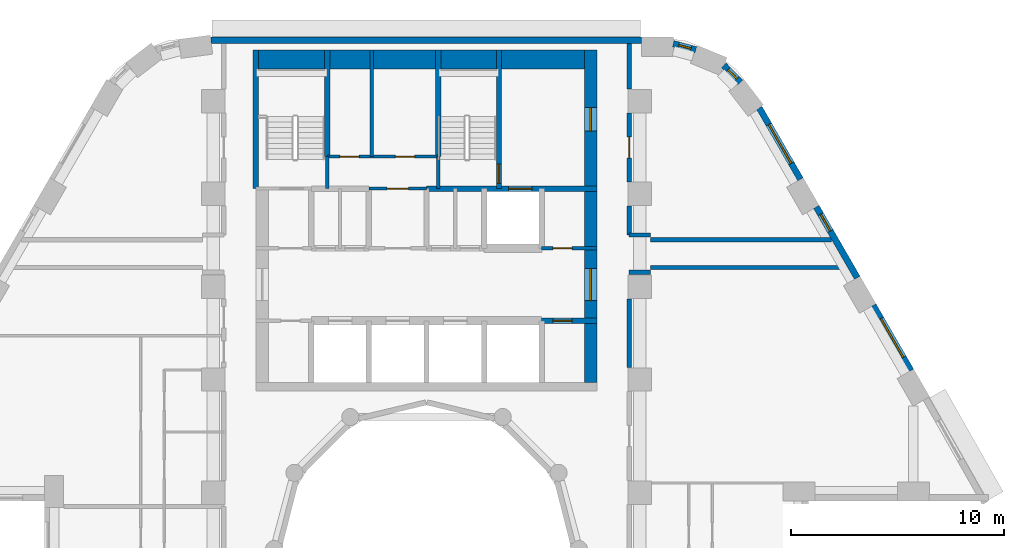
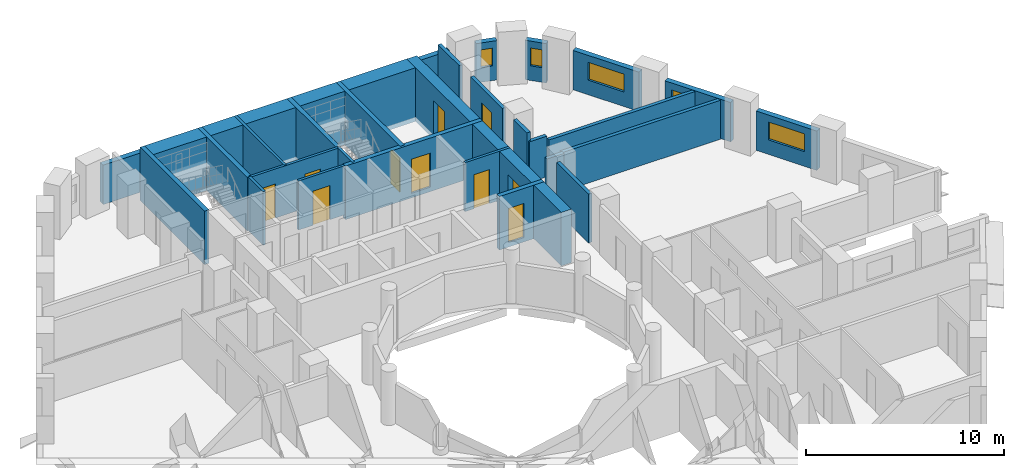
# One storey, part 8 of 12: 28 walls, 10 doors, 5 windows, 15 openings.
"""IFC4 building model written with IfcOpenShell, lengths in metres."""

from ifc_helpers import new_model, si_unit, direction, frame, frame_2d, origin, place, context, subcontext, project, spatial, rectangle, extrude, material, layer, layer_set, type_object, element, fill, save


model = new_model("IFC4")

# Units and contexts
model_context = context("Model", 3, precision=1e-05, world=origin(), true_north=direction((0.0, 1.0)))
body_context = subcontext(model_context, "Body", "Model", "MODEL_VIEW")
ifc_project = project(units=[si_unit("LENGTHUNIT", "METRE"), si_unit("AREAUNIT", "SQUARE_METRE"), si_unit("VOLUMEUNIT", "CUBIC_METRE"), si_unit("PLANEANGLEUNIT", "RADIAN"), si_unit("MASSUNIT", "GRAM", prefix="KILO")], contexts=[model_context])

# Site, building, storey
site_placement = place(None, origin())
site = spatial("IfcSite", under=ifc_project, at=site_placement, CompositionType="ELEMENT")
building_placement = place(site_placement, origin())
building = spatial("IfcBuilding", under=site, at=building_placement, Name="Nakaniwa Court", CompositionType="ELEMENT")
storey_placement = place(building_placement, frame((0.0, 0.0, 54.60009765625)))
storey = spatial("IfcBuildingStorey", under=building, at=storey_placement, Name="L14", CompositionType="ELEMENT", Elevation=54.60009765625)

# Walls
ifc_material_1 = material(Name="Acoustic double stud partition")
ifc_layer_1 = layer(ifc_material_1, 0.199951171875)
ifc_layer_set_1 = layer_set([ifc_layer_1], Name="Acoustic double stud partition")
wall_type_1 = type_object("IfcWallType", Name="Acoustic double stud partition 200", PredefinedType="PARTITIONING", material=ifc_layer_set_1)
wall_1_placement = place(storey_placement, frame((89.5, 88.51708984375, 0.0), z_axis=(0.0, 0.0, 1.0), x_axis=(0.0, 1.0, 0.0)))
element("IfcWall", 1, at=wall_1_placement, inside=storey, type_object=wall_type_1, Name="Partition PW-079", PredefinedType="PARTITIONING", context=body_context, shape_type="SweptSolid", body=[
    extrude(rectangle(XDim=3.2158203125, YDim=0.199951171875, at=frame_2d((1.60791015625, 0.0))), origin(), (0.0, 0.0, 1.0), 3.02490234375),
])
wall_2_placement = place(storey_placement, frame((89.5, 94.721923828125, 0.0), z_axis=(0.0, 0.0, 1.0), x_axis=(0.0, 1.0, 0.0)))
element("IfcWall", 2, at=wall_2_placement, inside=storey, type_object=wall_type_1, Name="Partition PW-080", PredefinedType="PARTITIONING", context=body_context, shape_type="SweptSolid", body=[
    extrude(rectangle(XDim=1.361083984375, YDim=0.199951171875, at=frame_2d((0.6806640625, 0.0))), origin(), (0.0, 0.0, 1.0), 3.02490234375),
])

# Wall, opening, door
wall_3_placement = place(storey_placement, frame((89.5, 100.43310546875, 0.0), z_axis=(0.0, 0.0, 1.0), x_axis=(0.0, -1.0, 0.0)))
wall_3 = element("IfcWall", 3, at=wall_3_placement, inside=storey, type_object=wall_type_1, Name="Partition PW-081", PredefinedType="PARTITIONING", context=body_context, shape_type="SweptSolid", body=[
    extrude(rectangle(XDim=3.216064453125, YDim=0.199951171875, at=frame_2d((1.60791015625, 0.0))), origin(), (0.0, 0.0, 1.0), 3.02490234375),
])
opening_1_placement = place(wall_3_placement, frame((1.10791015625, 0.0, 0.0)))
opening_1 = element("IfcOpeningElement", 4, at=opening_1_placement, cuts=wall_3, Name="Opening D-02-02", PredefinedType="OPENING", context=body_context, shape_type="SweptSolid", body=[
    extrude(rectangle(XDim=1.0, YDim=2.10009765625, at=frame_2d((0.5, 1.050048828125))), frame((0.0, 0.10986328125, 0.0), z_axis=(0.0, -1.0, 0.0), x_axis=(1.0, 0.0, 0.0)), (0.0, 0.0, 1.0), 0.219970703125),
])
ifc_material_2 = material(Name="Solid core timber door set, black veneer", Category="wood")
door_type_1 = type_object("IfcDoorType", Name="Internal door 1000", OperationType="NOTDEFINED", PredefinedType="DOOR", material=ifc_material_2)
door_1_placement = place(opening_1_placement, origin())
door_1 = element("IfcDoor", 5, at=door_1_placement, inside=storey, type_object=door_type_1, Name="Door D-02-02 L14-040", OperationType="SINGLE_SWING_LEFT", OverallHeight=2.10009765625, OverallWidth=1.0, PredefinedType="DOOR", context=body_context, shape_type="SweptSolid", body=[
    extrude(rectangle(XDim=1.0, YDim=2.10009765625, at=frame_2d((0.5, 1.050048828125))), frame((0.0, 0.02490234375, 0.0), z_axis=(0.0, -1.0, 0.0), x_axis=(1.0, 0.0, 0.0)), (0.0, 0.0, 1.0), 0.050048828125),
])
fill(opening_1, door_1)

# Walls
wall_4_placement = place(storey_placement, frame((89.5, 101.56689453125, 0.0), z_axis=(0.0, 0.0, 1.0), x_axis=(0.0, 1.0, 0.0)))
element("IfcWall", 6, at=wall_4_placement, inside=storey, type_object=wall_type_1, Name="Partition PW-082", PredefinedType="PARTITIONING", context=body_context, shape_type="SweptSolid", body=[
    extrude(rectangle(XDim=2.133056640625, YDim=0.199951171875, at=frame_2d((1.06640625, 0.0))), origin(), (0.0, 0.0, 1.0), 3.02490234375),
])
wall_5_placement = place(storey_placement, frame((90.5, 93.199951171875, 0.0), z_axis=(0.0, 0.0, 1.0), x_axis=(1.0, 0.0, 0.0)))
element("IfcWall", 7, at=wall_5_placement, inside=storey, type_object=wall_type_1, Name="Partition PW-084", PredefinedType="PARTITIONING", context=body_context, shape_type="SweptSolid", body=[
    extrude(rectangle(XDim=9.245361328125, YDim=0.199951171875, at=frame_2d((4.62255859375, 0.0))), origin(), (0.0, 0.0, 1.0), 2.40478515625),
])
for number, where, z_axis, x_axis, name in (
    (8, (89.5, 92.97509765625, 0.0), (0.0, 0.0, 1.0), (1.0, 0.0, 0.0), "Partition PW-086"),
    (9, (89.5, 94.72509765625, 0.0), (0.0, 0.0, 1.0), (1.0, 0.0, 0.0), "Partition PW-088"),
):
    element("IfcWall", number, at=place(storey_placement, frame(where, z_axis=z_axis, x_axis=x_axis)), inside=storey, type_object=wall_type_1, Name=name, PredefinedType="PARTITIONING", context=body_context, shape_type="SweptSolid", body=[
        extrude(rectangle(XDim=1.0, YDim=0.199951171875, at=frame_2d((0.5, 0.0))), origin(), (0.0, 0.0, 1.0), 2.5048828125),
    ])
wall_6_placement = place(storey_placement, frame((90.5, 94.5, 0.0), z_axis=(0.0, 0.0, 1.0), x_axis=(1.0, 0.0, 0.0)))
element("IfcWall", 10, at=wall_6_placement, inside=storey, type_object=wall_type_1, Name="Partition PW-090", PredefinedType="PARTITIONING", context=body_context, shape_type="SweptSolid", body=[
    extrude(rectangle(XDim=8.494873046875, YDim=0.199951171875, at=frame_2d((4.24755859375, 0.0))), origin(), (0.0, 0.0, 1.0), 2.40478515625),
])

# Wall, opening, window
ifc_material_3 = material(Name="Charcoal ceramic cladding")
ifc_layer_2 = layer(ifc_material_3, 0.02, Name="Ceramic cladding")
ifc_material_4 = material(Name="Ventilated air cavity")
ifc_layer_3 = layer(ifc_material_4, 0.04, ventilated=True, Name="Ventilated cavity")
ifc_material_5 = material(Name="Mineral wool insulation")
ifc_layer_4 = layer(ifc_material_5, 0.1, Name="Insulation")
ifc_material_6 = material(Name="Cement bonded sheathing board")
ifc_layer_5 = layer(ifc_material_6, 0.012, Name="Sheathing")
ifc_material_7 = material(Name="Cold-formed galvanised stud frame with mineral wool infill")
ifc_layer_6 = layer(ifc_material_7, 0.1, Name="Stud frame")
ifc_material_8 = material(Name="Fire-rated gypsum plasterboard lining")
ifc_layer_7 = layer(ifc_material_8, 0.028, Name="Lining")
ifc_layer_set_2 = layer_set([ifc_layer_2, ifc_layer_3, ifc_layer_4, ifc_layer_5, ifc_layer_6, ifc_layer_7], Name="Charcoal ceramic faced external wall system")
wall_type_2 = type_object("IfcWallType", Name="Black ceramic faced external wall 300", PredefinedType="SOLIDWALL", material=ifc_layer_set_2)
wall_7_placement = place(storey_placement, frame((102.709716796875, 88.36572265625, 0.0), z_axis=(0.0, 0.0, 1.0), x_axis=(-0.499977402622, 0.866038449993, 0.0)))
wall_7 = element("IfcWall", 11, at=wall_7_placement, inside=storey, type_object=wall_type_2, Name="L14 external wall 03", PredefinedType="SOLIDWALL", context=body_context, shape_type="SweptSolid", body=[
    extrude(rectangle(XDim=3.536865234375, YDim=0.300048828125, at=frame_2d((1.7685546875, 0.0))), origin(), (0.0, 0.0, 1.0), 2.4248046875),
])
opening_2_placement = place(wall_7_placement, frame((0.718505859375, 0.0, 0.89990234375)))
opening_2 = element("IfcOpeningElement", 12, at=opening_2_placement, cuts=wall_7, Name="Opening W7.02", PredefinedType="OPENING", context=body_context, shape_type="SweptSolid", body=[
    extrude(rectangle(XDim=2.10009765625, YDim=1.10009765625, at=frame_2d((1.050048828125, 0.550048828125))), frame((0.0, 0.159912109375, 0.0), z_axis=(0.0, -1.0, 0.0), x_axis=(1.0, 0.0, 0.0)), (0.0, 0.0, 1.0), 0.320068359375),
])
ifc_material_9 = material(Name="Black anodised aluminium frame with dark low-E laminated double glazing", Category="aluminium")
window_type_1 = type_object("IfcWindowType", Name="Dark glass window 2100x1100 sill 900", PartitioningType="SINGLE_PANEL", PredefinedType="WINDOW", material=ifc_material_9)
window_1_placement = place(opening_2_placement, origin())
window_1 = element("IfcWindow", 13, at=window_1_placement, inside=storey, type_object=window_type_1, Name="L14 habitable room window 03-0", OverallHeight=1.10009765625, OverallWidth=2.10009765625, PartitioningType="SINGLE_PANEL", PredefinedType="WINDOW", context=body_context, shape_type="SweptSolid", body=[
    extrude(rectangle(XDim=2.10009765625, YDim=1.10009765625, at=frame_2d((1.050048828125, 0.550048828125))), frame((0.0, 0.030029296875, 0.0), z_axis=(0.0, -1.0, 0.0), x_axis=(1.0, 0.0, 0.0)), (0.0, 0.0, 1.0), 0.06005859375),
])
fill(opening_2, window_1)

wall_8_placement = place(storey_placement, frame((100.1953125, 92.720703125, 0.0), z_axis=(0.0, 0.0, 1.0), x_axis=(-0.500001735503, 0.866024401789, 0.0)))
wall_8 = element("IfcWall", 14, at=wall_8_placement, inside=storey, type_object=wall_type_2, Name="L14 external wall 04", PredefinedType="SOLIDWALL", context=body_context, shape_type="SweptSolid", body=[
    extrude(rectangle(XDim=3.833984375, YDim=0.300048828125, at=frame_2d((1.9169921875, 0.0))), origin(), (0.0, 0.0, 1.0), 2.4248046875),
])
opening_3_placement = place(wall_8_placement, frame((2.53125, 0.0, 0.89990234375)))
opening_3 = element("IfcOpeningElement", 15, at=opening_3_placement, cuts=wall_8, Name="Opening W9.03", PredefinedType="OPENING", context=body_context, shape_type="SweptSolid", body=[
    extrude(rectangle(XDim=0.89990234375, YDim=1.10009765625, at=frame_2d((0.449951171875, 0.550048828125))), frame((0.0, 0.159912109375, 0.0), z_axis=(0.0, -1.0, 0.0), x_axis=(1.0, 0.0, 0.0)), (0.0, 0.0, 1.0), 0.320068359375),
])
window_type_2 = type_object("IfcWindowType", Name="Dark glass window 900x1100 sill 900", PartitioningType="SINGLE_PANEL", PredefinedType="WINDOW", material=ifc_material_9)
window_2_placement = place(opening_3_placement, origin())
window_2 = element("IfcWindow", 16, at=window_2_placement, inside=storey, type_object=window_type_2, Name="L14 habitable room window 04-2", OverallHeight=1.10009765625, OverallWidth=0.89990234375, PartitioningType="SINGLE_PANEL", PredefinedType="WINDOW", context=body_context, shape_type="SweptSolid", body=[
    extrude(rectangle(XDim=0.89990234375, YDim=1.10009765625, at=frame_2d((0.449951171875, 0.550048828125))), frame((0.0, 0.030029296875, 0.0), z_axis=(0.0, -1.0, 0.0), x_axis=(1.0, 0.0, 0.0)), (0.0, 0.0, 1.0), 0.06005859375),
])
fill(opening_3, window_2)

wall_9_placement = place(storey_placement, frame((97.5322265625, 97.3330078125, 0.0), z_axis=(0.0, 0.0, 1.0), x_axis=(-0.499948341072, 0.866055227026, 0.0)))
wall_9 = element("IfcWall", 17, at=wall_9_placement, inside=storey, type_object=wall_type_2, Name="L14 external wall 05", PredefinedType="SOLIDWALL", context=body_context, shape_type="SweptSolid", body=[
    extrude(rectangle(XDim=3.8671875, YDim=0.300048828125, at=frame_2d((1.93359375, 0.0))), origin(), (0.0, 0.0, 1.0), 2.4248046875),
])
opening_4_placement = place(wall_9_placement, frame((0.872314453125, 0.0, 0.89990234375)))
opening_4 = element("IfcOpeningElement", 18, at=opening_4_placement, cuts=wall_9, Name="Opening W7.04", PredefinedType="OPENING", context=body_context, shape_type="SweptSolid", body=[
    extrude(rectangle(XDim=2.10009765625, YDim=1.10009765625, at=frame_2d((1.050048828125, 0.550048828125))), frame((0.0, 0.159912109375, 0.0), z_axis=(0.0, -1.0, 0.0), x_axis=(1.0, 0.0, 0.0)), (0.0, 0.0, 1.0), 0.320068359375),
])
window_3_placement = place(opening_4_placement, origin())
window_3 = element("IfcWindow", 19, at=window_3_placement, inside=storey, type_object=window_type_1, Name="L14 habitable room window 05-0", OverallHeight=1.10009765625, OverallWidth=2.10009765625, PartitioningType="SINGLE_PANEL", PredefinedType="WINDOW", context=body_context, shape_type="SweptSolid", body=[
    extrude(rectangle(XDim=2.10009765625, YDim=1.10009765625, at=frame_2d((1.050048828125, 0.550048828125))), frame((0.0, 0.030029296875, 0.0), z_axis=(0.0, -1.0, 0.0), x_axis=(1.0, 0.0, 0.0)), (0.0, 0.0, 1.0), 0.06005859375),
])
fill(opening_4, window_3)

wall_10_placement = place(storey_placement, frame((94.712646484375, 101.8828125, 0.0), z_axis=(0.0, 0.0, 1.0), x_axis=(-0.696138968055, 0.717907053285, 0.0)))
wall_10 = element("IfcWall", 20, at=wall_10_placement, inside=storey, type_object=wall_type_2, Name="L14 external wall 06", PredefinedType="SOLIDWALL", context=body_context, shape_type="SweptSolid", body=[
    extrude(rectangle(XDim=1.1103515625, YDim=0.300048828125, at=frame_2d((0.55517578125, 0.0))), origin(), (0.0, 0.0, 1.0), 2.4248046875),
])
opening_5_placement = place(wall_10_placement, frame((0.230712890625, 0.0, 0.89990234375)))
opening_5 = element("IfcOpeningElement", 21, at=opening_5_placement, cuts=wall_10, Name="Opening W8.05", PredefinedType="OPENING", context=body_context, shape_type="SweptSolid", body=[
    extrude(rectangle(XDim=0.60009765625, YDim=1.10009765625, at=frame_2d((0.300048828125, 0.550048828125))), frame((0.0, 0.159912109375, 0.0), z_axis=(0.0, -1.0, 0.0), x_axis=(1.0, 0.0, 0.0)), (0.0, 0.0, 1.0), 0.320068359375),
])
window_type_3 = type_object("IfcWindowType", Name="Dark glass window 600x1100 sill 900", PartitioningType="SINGLE_PANEL", PredefinedType="WINDOW", material=ifc_material_9)
window_4_placement = place(opening_5_placement, origin())
window_4 = element("IfcWindow", 22, at=window_4_placement, inside=storey, type_object=window_type_3, Name="L14 habitable room window 06-0", OverallHeight=1.10009765625, OverallWidth=0.60009765625, PartitioningType="SINGLE_PANEL", PredefinedType="WINDOW", context=body_context, shape_type="SweptSolid", body=[
    extrude(rectangle(XDim=0.60009765625, YDim=1.10009765625, at=frame_2d((0.300048828125, 0.550048828125))), frame((0.0, 0.030029296875, 0.0), z_axis=(0.0, -1.0, 0.0), x_axis=(1.0, 0.0, 0.0)), (0.0, 0.0, 1.0), 0.06005859375),
])
fill(opening_5, window_4)

wall_11_placement = place(storey_placement, frame((92.62548828125, 103.406982421875, 0.0), z_axis=(0.0, 0.0, 1.0), x_axis=(-0.96522637192, 0.261415475728, 0.0)))
wall_11 = element("IfcWall", 23, at=wall_11_placement, inside=storey, type_object=wall_type_2, Name="L14 external wall 07", PredefinedType="SOLIDWALL", context=body_context, shape_type="SweptSolid", body=[
    extrude(rectangle(XDim=1.0927734375, YDim=0.300048828125, at=frame_2d((0.54638671875, 0.0))), origin(), (0.0, 0.0, 1.0), 2.4248046875),
])
opening_6_placement = place(wall_11_placement, frame((0.236083984375, 0.0, 0.89990234375)))
opening_6 = element("IfcOpeningElement", 24, at=opening_6_placement, cuts=wall_11, Name="Opening W8.06", PredefinedType="OPENING", context=body_context, shape_type="SweptSolid", body=[
    extrude(rectangle(XDim=0.60009765625, YDim=1.10009765625, at=frame_2d((0.300048828125, 0.550048828125))), frame((0.0, 0.159912109375, 0.0), z_axis=(0.0, -1.0, 0.0), x_axis=(1.0, 0.0, 0.0)), (0.0, 0.0, 1.0), 0.320068359375),
])
window_5_placement = place(opening_6_placement, origin())
window_5 = element("IfcWindow", 25, at=window_5_placement, inside=storey, type_object=window_type_3, Name="L14 habitable room window 07-0", OverallHeight=1.10009765625, OverallWidth=0.60009765625, PartitioningType="SINGLE_PANEL", PredefinedType="WINDOW", context=body_context, shape_type="SweptSolid", body=[
    extrude(rectangle(XDim=0.60009765625, YDim=1.10009765625, at=frame_2d((0.300048828125, 0.550048828125))), frame((0.0, 0.030029296875, 0.0), z_axis=(0.0, -1.0, 0.0), x_axis=(1.0, 0.0, 0.0)), (0.0, 0.0, 1.0), 0.06005859375),
])
fill(opening_6, window_5)

# Wall
wall_12_placement = place(storey_placement, frame((90.07861328125, 103.85009765625, 0.0), z_axis=(0.0, 0.0, 1.0), x_axis=(-1.0, 0.0, 0.0)))
element("IfcWall", 26, at=wall_12_placement, inside=storey, type_object=wall_type_2, Name="L14 external wall 08", PredefinedType="SOLIDWALL", context=body_context, shape_type="SweptSolid", body=[
    extrude(rectangle(XDim=20.1904296875, YDim=0.300048828125, at=frame_2d((10.09521484375, 0.0))), origin(), (0.0, 0.0, 1.0), 2.4248046875),
])

# Wall, opening, door
ifc_material_10 = material(Name="Blockwork partition", Category="masonry")
ifc_layer_8 = layer(ifc_material_10, 0.14990234375)
ifc_layer_set_3 = layer_set([ifc_layer_8], Name="Blockwork partition")
wall_type_3 = type_object("IfcWallType", Name="Blockwork partition 150", PredefinedType="PARTITIONING", material=ifc_layer_set_3)
wall_13_placement = place(storey_placement, frame((85.39697265625, 94.10009765625, 0.0), z_axis=(0.0, 0.0, 1.0), x_axis=(1.0, 0.0, 0.0)))
wall_13 = element("IfcWall", 27, at=wall_13_placement, inside=storey, type_object=wall_type_3, Name="Partition PW-018", PredefinedType="PARTITIONING", context=body_context, shape_type="SweptSolid", body=[
    extrude(rectangle(XDim=2.60302734375, YDim=0.14990234375, at=frame_2d((1.301513671875, 0.0))), origin(), (0.0, 0.0, 1.0), 3.02490234375),
])
opening_7_placement = place(wall_13_placement, frame((0.528076171875, 0.0, 0.0)))
opening_7 = element("IfcOpeningElement", 28, at=opening_7_placement, cuts=wall_13, Name="Opening D-05-07", PredefinedType="OPENING", context=body_context, shape_type="SweptSolid", body=[
    extrude(rectangle(XDim=0.89990234375, YDim=2.10009765625, at=frame_2d((0.449951171875, 1.050048828125))), frame((0.0, 0.0849609375, 0.0), z_axis=(0.0, -1.0, 0.0), x_axis=(1.0, 0.0, 0.0)), (0.0, 0.0, 1.0), 0.169921875),
])
ifc_material_11 = material(Name="Fire rated steel door set", Category="steel")
door_type_2 = type_object("IfcDoorType", Name="Service room door 900", OperationType="NOTDEFINED", PredefinedType="DOOR", material=ifc_material_11)
door_2_placement = place(opening_7_placement, origin())
door_2 = element("IfcDoor", 29, at=door_2_placement, inside=storey, type_object=door_type_2, Name="Door D-05-07 L14-009", OperationType="SINGLE_SWING_RIGHT", OverallHeight=2.10009765625, OverallWidth=0.89990234375, PredefinedType="DOOR", context=body_context, shape_type="SweptSolid", body=[
    extrude(rectangle(XDim=0.89990234375, YDim=2.10009765625, at=frame_2d((0.449951171875, 1.050048828125))), frame((0.0, 0.02490234375, 0.0), z_axis=(0.0, -1.0, 0.0), x_axis=(1.0, 0.0, 0.0)), (0.0, 0.0, 1.0), 0.050048828125),
])
fill(opening_7, door_2)

wall_14_placement = place(storey_placement, frame((77.300048828125, 96.89990234375, 0.0), z_axis=(0.0, 0.0, 1.0), x_axis=(1.0, 0.0, 0.0)))
wall_14 = element("IfcWall", 30, at=wall_14_placement, inside=storey, type_object=wall_type_3, Name="Partition PW-026", PredefinedType="PARTITIONING", context=body_context, shape_type="SweptSolid", body=[
    extrude(rectangle(XDim=2.699951171875, YDim=0.14990234375, at=frame_2d((1.35009765625, 0.0))), origin(), (0.0, 0.0, 1.0), 3.02490234375),
])
opening_8_placement = place(wall_14_placement, frame((0.85009765625, 0.0, 0.0)))
opening_8 = element("IfcOpeningElement", 31, at=opening_8_placement, cuts=wall_14, Name="Opening D-23-01", PredefinedType="OPENING", context=body_context, shape_type="SweptSolid", body=[
    extrude(rectangle(XDim=1.0, YDim=2.10009765625, at=frame_2d((0.5, 1.050048828125))), frame((0.0, 0.0849609375, 0.0), z_axis=(0.0, -1.0, 0.0), x_axis=(1.0, 0.0, 0.0)), (0.0, 0.0, 1.0), 0.169921875),
])
door_type_3 = type_object("IfcDoorType", Name="Service room door 1000", OperationType="NOTDEFINED", PredefinedType="DOOR", material=ifc_material_11)
door_3_placement = place(opening_8_placement, origin())
door_3 = element("IfcDoor", 32, at=door_3_placement, inside=storey, type_object=door_type_3, Name="Door D-23-01 L14-010", OperationType="SINGLE_SWING_LEFT", OverallHeight=2.10009765625, OverallWidth=1.0, PredefinedType="DOOR", context=body_context, shape_type="SweptSolid", body=[
    extrude(rectangle(XDim=1.0, YDim=2.10009765625, at=frame_2d((0.5, 1.050048828125))), frame((0.0, 0.02490234375, 0.0), z_axis=(0.0, -1.0, 0.0), x_axis=(1.0, 0.0, 0.0)), (0.0, 0.0, 1.0), 0.050048828125),
])
fill(opening_8, door_3)

# Wall, openings, doors
wall_15_placement = place(storey_placement, frame((75.35009765625, 98.39990234375, 0.0), z_axis=(0.0, 0.0, 1.0), x_axis=(1.0, 0.0, 0.0)))
wall_15 = element("IfcWall", 33, at=wall_15_placement, inside=storey, type_object=wall_type_3, Name="Partition PW-034", PredefinedType="PARTITIONING", context=body_context, shape_type="SweptSolid", body=[
    extrude(rectangle(XDim=5.199951171875, YDim=0.14990234375, at=frame_2d((2.60009765625, 0.0))), origin(), (0.0, 0.0, 1.0), 3.02490234375),
])
opening_9_placement = place(wall_15_placement, frame((0.590087890625, 0.0, 0.0)))
opening_9 = element("IfcOpeningElement", 34, at=opening_9_placement, cuts=wall_15, Name="Opening D-05-08", PredefinedType="OPENING", context=body_context, shape_type="SweptSolid", body=[
    extrude(rectangle(XDim=0.89990234375, YDim=2.10009765625, at=frame_2d((0.449951171875, 1.050048828125))), frame((0.0, 0.0849609375, 0.0), z_axis=(0.0, -1.0, 0.0), x_axis=(1.0, 0.0, 0.0)), (0.0, 0.0, 1.0), 0.169921875),
])
opening_10_placement = place(wall_15_placement, frame((3.18994140625, 0.0, 0.0)))
opening_10 = element("IfcOpeningElement", 35, at=opening_10_placement, cuts=wall_15, Name="Opening D-05-09", PredefinedType="OPENING", context=body_context, shape_type="SweptSolid", body=[
    extrude(rectangle(XDim=0.89990234375, YDim=2.10009765625, at=frame_2d((0.449951171875, 1.050048828125))), frame((0.0, 0.0849609375, 0.0), z_axis=(0.0, -1.0, 0.0), x_axis=(1.0, 0.0, 0.0)), (0.0, 0.0, 1.0), 0.169921875),
])
door_4_placement = place(opening_9_placement, origin())
door_4 = element("IfcDoor", 36, at=door_4_placement, inside=storey, type_object=door_type_2, Name="Door D-05-08 L14-011", OperationType="SINGLE_SWING_RIGHT", OverallHeight=2.10009765625, OverallWidth=0.89990234375, PredefinedType="DOOR", context=body_context, shape_type="SweptSolid", body=[
    extrude(rectangle(XDim=0.89990234375, YDim=2.10009765625, at=frame_2d((0.449951171875, 1.050048828125))), frame((0.0, 0.02490234375, 0.0), z_axis=(0.0, -1.0, 0.0), x_axis=(1.0, 0.0, 0.0)), (0.0, 0.0, 1.0), 0.050048828125),
])
fill(opening_9, door_4)
door_5_placement = place(opening_10_placement, origin())
door_5 = element("IfcDoor", 37, at=door_5_placement, inside=storey, type_object=door_type_2, Name="Door D-05-09 L14-012", OperationType="SINGLE_SWING_LEFT", OverallHeight=2.10009765625, OverallWidth=0.89990234375, PredefinedType="DOOR", context=body_context, shape_type="SweptSolid", body=[
    extrude(rectangle(XDim=0.89990234375, YDim=2.10009765625, at=frame_2d((0.449951171875, 1.050048828125))), frame((0.0, 0.02490234375, 0.0), z_axis=(0.0, -1.0, 0.0), x_axis=(1.0, 0.0, 0.0)), (0.0, 0.0, 1.0), 0.050048828125),
])
fill(opening_10, door_5)

# Wall
wall_16_placement = place(storey_placement, frame((77.429931640625, 98.39990234375, 0.0), z_axis=(0.0, 0.0, 1.0), x_axis=(0.0, 1.0, 0.0)))
element("IfcWall", 38, at=wall_16_placement, inside=storey, type_object=wall_type_3, Name="Partition PW-035", PredefinedType="PARTITIONING", context=body_context, shape_type="SweptSolid", body=[
    extrude(rectangle(XDim=5.0, YDim=0.14990234375, at=frame_2d((2.5, 0.0))), origin(), (0.0, 0.0, 1.0), 3.02490234375),
])

# Wall, openings, doors
ifc_material_12 = material(Name="Concrete C100/115", Category="concrete")
ifc_layer_9 = layer(ifc_material_12, 0.60009765625)
ifc_layer_set_4 = layer_set([ifc_layer_9], Name="Concrete C100/115")
wall_type_4 = type_object("IfcWallType", Name="Concrete core side wall 600 C100", PredefinedType="SHEAR", material=ifc_layer_set_4)
wall_17_placement = place(storey_placement, frame((87.699951171875, 103.39990234375, -0.275146484375), z_axis=(0.0, 0.0, 1.0), x_axis=(0.0, -1.0, 0.0)))
wall_17 = element("IfcWall", 39, at=wall_17_placement, inside=storey, type_object=wall_type_4, Name="Core wall SW-15", PredefinedType="SHEAR", context=body_context, shape_type="SweptSolid", body=[
    extrude(rectangle(XDim=15.599853515625, YDim=0.60009765625, at=frame_2d((7.7998046875, 0.0))), origin(), (0.0, 0.0, 1.0), 3.300048828125),
])
opening_11_placement = place(wall_17_placement, frame((10.25, 0.0, 0.27490234375)))
opening_11 = element("IfcOpeningElement", 40, at=opening_11_placement, cuts=wall_17, Name="Opening D-07-01", PredefinedType="OPENING", context=body_context, shape_type="SweptSolid", body=[
    extrude(rectangle(XDim=1.5, YDim=2.10009765625, at=frame_2d((0.75, 1.050048828125))), frame((0.0, 0.31005859375, 0.0), z_axis=(0.0, -1.0, 0.0), x_axis=(1.0, 0.0, 0.0)), (0.0, 0.0, 1.0), 0.6201171875),
])
opening_12_placement = place(wall_17_placement, frame((2.699951171875, 0.0, 0.27490234375)))
opening_12 = element("IfcOpeningElement", 41, at=opening_12_placement, cuts=wall_17, Name="Opening D-10-01", PredefinedType="OPENING", context=body_context, shape_type="SweptSolid", body=[
    extrude(rectangle(XDim=1.10009765625, YDim=2.10009765625, at=frame_2d((0.550048828125, 1.050048828125))), frame((0.0, 0.31005859375, 0.0), z_axis=(0.0, -1.0, 0.0), x_axis=(1.0, 0.0, 0.0)), (0.0, 0.0, 1.0), 0.6201171875),
])
door_type_4 = type_object("IfcDoorType", Name="Firefighting lobby door 1100", OperationType="NOTDEFINED", PredefinedType="DOOR", material=ifc_material_11)
door_6_placement = place(opening_12_placement, origin())
door_6 = element("IfcDoor", 42, at=door_6_placement, inside=storey, type_object=door_type_4, Name="Door D-10-01 L14-058", OperationType="SINGLE_SWING_LEFT", OverallHeight=2.10009765625, OverallWidth=1.10009765625, PredefinedType="DOOR", context=body_context, shape_type="SweptSolid", body=[
    extrude(rectangle(XDim=1.10009765625, YDim=2.10009765625, at=frame_2d((0.550048828125, 1.050048828125))), frame((0.0, 0.02490234375, 0.0), z_axis=(0.0, -1.0, 0.0), x_axis=(1.0, 0.0, 0.0)), (0.0, 0.0, 1.0), 0.050048828125),
])
fill(opening_12, door_6)
ifc_material_13 = material(Name="Glazed fire rated steel double door set", Category="steel")
door_type_5 = type_object("IfcDoorType", Name="Lobby double door 1500", OperationType="NOTDEFINED", PredefinedType="DOOR", material=ifc_material_13)
door_7_placement = place(opening_11_placement, origin())
door_7 = element("IfcDoor", 43, at=door_7_placement, inside=storey, type_object=door_type_5, Name="Door D-07-01 L14-056", OperationType="DOUBLE_DOOR_SINGLE_SWING", OverallHeight=2.10009765625, OverallWidth=1.5, PredefinedType="DOOR", context=body_context, shape_type="SweptSolid", body=[
    extrude(rectangle(XDim=1.5, YDim=2.10009765625, at=frame_2d((0.75, 1.050048828125))), frame((0.0, 0.02490234375, 0.0), z_axis=(0.0, -1.0, 0.0), x_axis=(1.0, 0.0, 0.0)), (0.0, 0.0, 1.0), 0.050048828125),
])
fill(opening_11, door_7)

# Walls
ifc_layer_10 = layer(ifc_material_12, 0.14990234375)
ifc_layer_set_5 = layer_set([ifc_layer_10], Name="Concrete C100/115")
wall_type_5 = type_object("IfcWallType", Name="Concrete core wall 150 C100", PredefinedType="SHEAR", material=ifc_layer_set_5)
for number, where, z_axis, x_axis, name in (
    (44, (75.35009765625, 96.89990234375, -0.275146484375), (0.0, 0.0, 1.0), (0.0, 1.0, 0.0), "Core wall SW-28"),
    (45, (80.550048828125, 96.89990234375, -0.275146484375), (0.0, 0.0, 1.0), (0.0, 1.0, 0.0), "Core wall SW-32"),
):
    element("IfcWall", number, at=place(storey_placement, frame(where, z_axis=z_axis, x_axis=x_axis)), inside=storey, type_object=wall_type_5, Name=name, PredefinedType="SHEAR", context=body_context, shape_type="SweptSolid", body=[
        extrude(rectangle(XDim=1.503173828125, YDim=0.14990234375, at=frame_2d((0.75146484375, 0.0))), origin(), (0.0, 0.0, 1.0), 3.300048828125),
    ])
ifc_layer_11 = layer(ifc_material_12, 0.25)
ifc_layer_set_6 = layer_set([ifc_layer_11], Name="Concrete C100/115")
wall_type_6 = type_object("IfcWallType", Name="Concrete core wall 250 C100", PredefinedType="SHEAR", material=ifc_layer_set_6)
wall_18_placement = place(storey_placement, frame((72.0, 96.89990234375, -0.275146484375), z_axis=(0.0, 0.0, 1.0), x_axis=(0.0, 1.0, 0.0)))
element("IfcWall", 46, at=wall_18_placement, inside=storey, type_object=wall_type_6, Name="Core wall SW-30", PredefinedType="SHEAR", context=body_context, shape_type="SweptSolid", body=[
    extrude(rectangle(XDim=6.5, YDim=0.25, at=frame_2d((3.25, 0.0))), origin(), (0.0, 0.0, 1.0), 3.300048828125),
])
ifc_layer_12 = layer(ifc_material_12, 0.89990234375)
ifc_layer_set_7 = layer_set([ifc_layer_12], Name="Concrete C100/115")
wall_type_7 = type_object("IfcWallType", Name="Concrete core wall 900 C100", PredefinedType="SHEAR", material=ifc_layer_set_7)
wall_19_placement = place(storey_placement, frame((72.00390625, 102.949951171875, -0.275146484375), z_axis=(0.0, 0.0, 1.0), x_axis=(1.0, 0.0, 0.0)))
element("IfcWall", 47, at=wall_19_placement, inside=storey, type_object=wall_type_7, Name="Core wall SW-134", PredefinedType="SHEAR", context=body_context, shape_type="SweptSolid", body=[
    extrude(rectangle(XDim=15.9921875, YDim=0.89990234375, at=frame_2d((7.99609375, 0.0))), origin(), (0.0, 0.0, 1.0), 3.300048828125),
])

# Wall, opening, door
ifc_layer_13 = layer(ifc_material_12, 0.25)
ifc_layer_set_8 = layer_set([ifc_layer_13], Name="Concrete C100/115")
wall_type_8 = type_object("IfcWallType", Name="Concrete shaft wall 250 C100", PredefinedType="SHEAR", material=ifc_layer_set_8)
wall_20_placement = place(storey_placement, frame((88.0, 90.699951171875, -0.275146484375), z_axis=(0.0, 0.0, 1.0), x_axis=(-1.0, 0.0, 0.0)))
wall_20 = element("IfcWall", 48, at=wall_20_placement, inside=storey, type_object=wall_type_8, Name="Core wall SW-14", PredefinedType="SHEAR", context=body_context, shape_type="SweptSolid", body=[
    extrude(rectangle(XDim=2.60009765625, YDim=0.25, at=frame_2d((1.300048828125, 0.0))), origin(), (0.0, 0.0, 1.0), 3.300048828125),
])
opening_13_placement = place(wall_20_placement, frame((1.175048828125, 0.0, 0.27490234375)))
opening_13 = element("IfcOpeningElement", 49, at=opening_13_placement, cuts=wall_20, Name="Opening D-05-02", PredefinedType="OPENING", context=body_context, shape_type="SweptSolid", body=[
    extrude(rectangle(XDim=0.89990234375, YDim=2.10009765625, at=frame_2d((0.449951171875, 1.050048828125))), frame((0.0, 0.135009765625, 0.0), z_axis=(0.0, -1.0, 0.0), x_axis=(1.0, 0.0, 0.0)), (0.0, 0.0, 1.0), 0.27001953125),
])
door_8_placement = place(opening_13_placement, origin())
door_8 = element("IfcDoor", 50, at=door_8_placement, inside=storey, type_object=door_type_2, Name="Door D-05-02 L14-002", OperationType="SINGLE_SWING_LEFT", OverallHeight=2.10009765625, OverallWidth=0.89990234375, PredefinedType="DOOR", context=body_context, shape_type="SweptSolid", body=[
    extrude(rectangle(XDim=0.89990234375, YDim=2.10009765625, at=frame_2d((0.449951171875, 1.050048828125))), frame((0.0, 0.02490234375, 0.0), z_axis=(0.0, -1.0, 0.0), x_axis=(1.0, 0.0, 0.0)), (0.0, 0.0, 1.0), 0.050048828125),
])
fill(opening_13, door_8)

wall_21_placement = place(storey_placement, frame((80.0, 96.89990234375, -0.275146484375), z_axis=(0.0, 0.0, 1.0), x_axis=(1.0, 0.0, 0.0)))
wall_21 = element("IfcWall", 51, at=wall_21_placement, inside=storey, type_object=wall_type_8, Name="Core wall SW-25", PredefinedType="SHEAR", context=body_context, shape_type="SweptSolid", body=[
    extrude(rectangle(XDim=8.0, YDim=0.25, at=frame_2d((4.0, 0.0))), origin(), (0.0, 0.0, 1.0), 3.300048828125),
])
opening_14_placement = place(wall_21_placement, frame((3.84912109375, 0.0, 0.27490234375)))
opening_14 = element("IfcOpeningElement", 52, at=opening_14_placement, cuts=wall_21, Name="Opening LD04", PredefinedType="OPENING", context=body_context, shape_type="SweptSolid", body=[
    extrude(rectangle(XDim=1.10009765625, YDim=2.10009765625, at=frame_2d((0.550048828125, 1.050048828125))), frame((0.0, 0.135009765625, 0.0), z_axis=(0.0, -1.0, 0.0), x_axis=(1.0, 0.0, 0.0)), (0.0, 0.0, 1.0), 0.27001953125),
])
ifc_material_14 = material(Name="Stainless steel sliding lift landing door", Category="steel")
door_type_6 = type_object("IfcDoorType", Name="Lift landing door 1100", OperationType="NOTDEFINED", PredefinedType="DOOR", material=ifc_material_14)
door_9_placement = place(opening_14_placement, origin())
door_9 = element("IfcDoor", 53, at=door_9_placement, inside=storey, type_object=door_type_6, Name="Lift landing door LD04 L14-004", OperationType="SLIDING_TO_LEFT", OverallHeight=2.10009765625, OverallWidth=1.10009765625, PredefinedType="DOOR", context=body_context, shape_type="SweptSolid", body=[
    extrude(rectangle(XDim=1.10009765625, YDim=2.10009765625, at=frame_2d((0.550048828125, 1.050048828125))), frame((0.0, 0.02490234375, 0.0), z_axis=(0.0, -1.0, 0.0), x_axis=(1.0, 0.0, 0.0)), (0.0, 0.0, 1.0), 0.050048828125),
])
fill(opening_14, door_9)

# Wall
wall_22_placement = place(storey_placement, frame((75.35009765625, 98.39697265625, -0.275146484375), z_axis=(0.0, 0.0, 1.0), x_axis=(0.0, 1.0, 0.0)))
element("IfcWall", 54, at=wall_22_placement, inside=storey, type_object=wall_type_8, Name="Core wall SW-29", PredefinedType="SHEAR", context=body_context, shape_type="SweptSolid", body=[
    extrude(rectangle(XDim=5.0029296875, YDim=0.25, at=frame_2d((2.50146484375, 0.0))), origin(), (0.0, 0.0, 1.0), 3.300048828125),
])

# Wall, opening, door
wall_23_placement = place(storey_placement, frame((83.39990234375, 103.39990234375, -0.275146484375), z_axis=(0.0, 0.0, 1.0), x_axis=(0.0, -1.0, 0.0)))
wall_23 = element("IfcWall", 55, at=wall_23_placement, inside=storey, type_object=wall_type_8, Name="Core wall SW-31", PredefinedType="SHEAR", context=body_context, shape_type="SweptSolid", body=[
    extrude(rectangle(XDim=6.5, YDim=0.25, at=frame_2d((3.25, 0.0))), origin(), (0.0, 0.0, 1.0), 3.300048828125),
])
opening_15_placement = place(wall_23_placement, frame((5.35009765625, 0.0, 0.27490234375)))
opening_15 = element("IfcOpeningElement", 56, at=opening_15_placement, cuts=wall_23, Name="Opening D-11-01", PredefinedType="OPENING", context=body_context, shape_type="SweptSolid", body=[
    extrude(rectangle(XDim=0.89990234375, YDim=2.10009765625, at=frame_2d((0.449951171875, 1.050048828125))), frame((0.0, 0.135009765625, 0.0), z_axis=(0.0, -1.0, 0.0), x_axis=(1.0, 0.0, 0.0)), (0.0, 0.0, 1.0), 0.27001953125),
])
door_type_7 = type_object("IfcDoorType", Name="Stair door 900", OperationType="NOTDEFINED", PredefinedType="DOOR", material=ifc_material_11)
door_10_placement = place(opening_15_placement, origin())
door_10 = element("IfcDoor", 57, at=door_10_placement, inside=storey, type_object=door_type_7, Name="Door D-11-01 L14-014", OperationType="SINGLE_SWING_RIGHT", OverallHeight=2.10009765625, OverallWidth=0.89990234375, PredefinedType="DOOR", context=body_context, shape_type="SweptSolid", body=[
    extrude(rectangle(XDim=0.89990234375, YDim=2.10009765625, at=frame_2d((0.449951171875, 1.050048828125))), frame((0.0, 0.02490234375, 0.0), z_axis=(0.0, -1.0, 0.0), x_axis=(1.0, 0.0, 0.0)), (0.0, 0.0, 1.0), 0.050048828125),
])
fill(opening_15, door_10)

# Wall
wall_24_placement = place(storey_placement, frame((80.550048828125, 98.39697265625, -0.275146484375), z_axis=(0.0, 0.0, 1.0), x_axis=(0.0, 1.0, 0.0)))
element("IfcWall", 58, at=wall_24_placement, inside=storey, type_object=wall_type_8, Name="Core wall SW-33", PredefinedType="SHEAR", context=body_context, shape_type="SweptSolid", body=[
    extrude(rectangle(XDim=5.0029296875, YDim=0.25, at=frame_2d((2.50146484375, 0.0))), origin(), (0.0, 0.0, 1.0), 3.300048828125),
])

save(model, "model.ifc")
